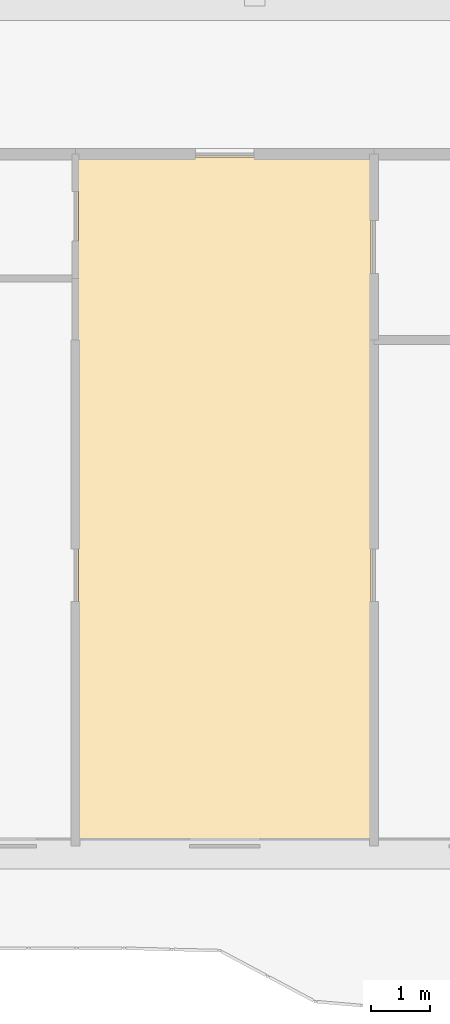
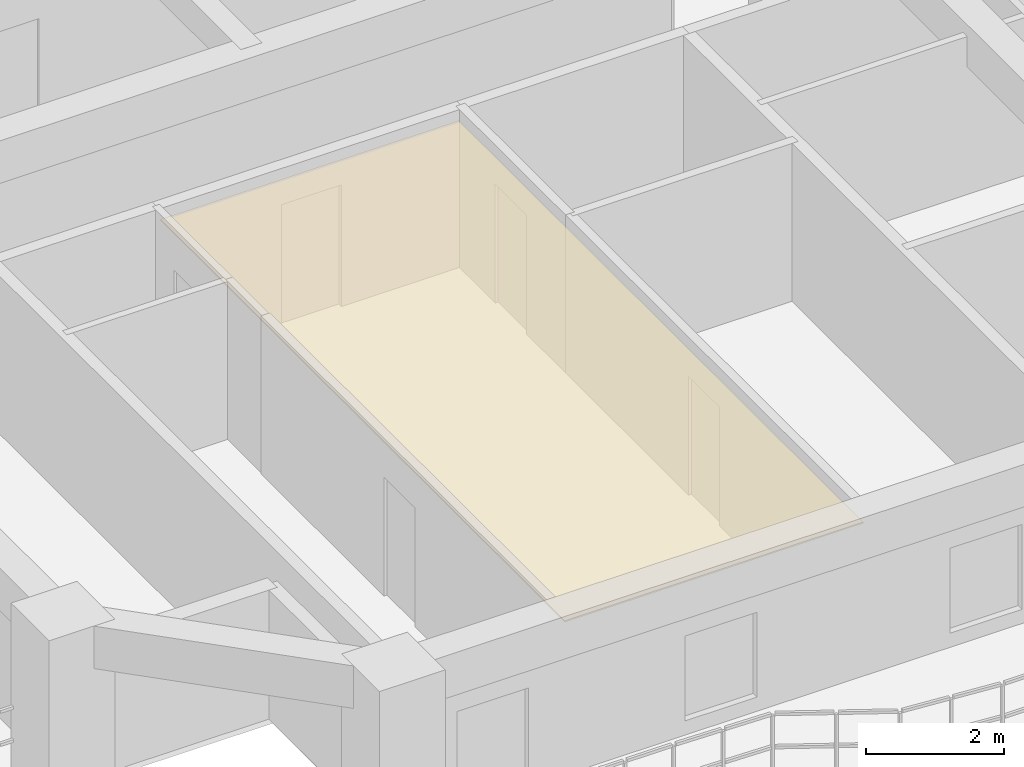
# One storey, part 11 of 16: 1 covering.
"""IFC4 building model written with IfcOpenShell, lengths in metres."""

from ifc_helpers import new_model, si_unit, direction, frame, origin, place, context, subcontext, project, spatial, polyline, outline, extrude, material, layer, layer_set, type_object, element, save


model = new_model("IFC4")

# Units and contexts
model_context = context("Model", 3, precision=1e-05, world=origin(), true_north=direction((0.0, 1.0)))
body_context = subcontext(model_context, "Body", "Model", "MODEL_VIEW")
ifc_project = project(units=[si_unit("LENGTHUNIT", "METRE"), si_unit("AREAUNIT", "SQUARE_METRE"), si_unit("VOLUMEUNIT", "CUBIC_METRE"), si_unit("PLANEANGLEUNIT", "RADIAN"), si_unit("MASSUNIT", "GRAM", prefix="KILO")], contexts=[model_context])

# Site, building, storey
site_placement = place(None, origin())
site = spatial("IfcSite", under=ifc_project, at=site_placement, CompositionType="ELEMENT")
building_placement = place(site_placement, origin())
building = spatial("IfcBuilding", under=site, at=building_placement, Name="Saelheon Loggia Tower", CompositionType="ELEMENT")
storey_placement = place(building_placement, frame((0.0, 0.0, 31.39990234375)))
storey = spatial("IfcBuildingStorey", under=building, at=storey_placement, Name="L09", CompositionType="ELEMENT", Elevation=31.39990234375)

# Covering
ifc_material = material(Name="Mineral-Fibre Acoustic Ceiling Board", Category="gypsum")
ifc_layer = layer(ifc_material, 0.02490234375)
ifc_layer_set = layer_set([ifc_layer], Name="Mineral-Fibre Acoustic Ceiling Board")
covering_type = type_object("IfcCoveringType", Name="Cov_Ceiling_Acoustic", PredefinedType="CEILING", material=ifc_layer_set)
covering_placement = place(storey_placement, frame((0.0, 0.0, 2.53515625)))
element("IfcCovering", 1, at=covering_placement, inside=storey, type_object=covering_type, Name="L09 Acoustic Suspended Ceiling", PredefinedType="CEILING", context=body_context, shape_type="SweptSolid", body=[
    extrude(outline(polyline([(18.47998046875, 3.199951171875), (23.470458984375, 3.199951171875), (23.470458984375, 14.89990234375), (18.47998046875, 14.89990234375), (18.47998046875, 3.199951171875)])), origin(), (0.0, 0.0, 1.0), 0.02490234375),
])

save(model, "model.ifc")
